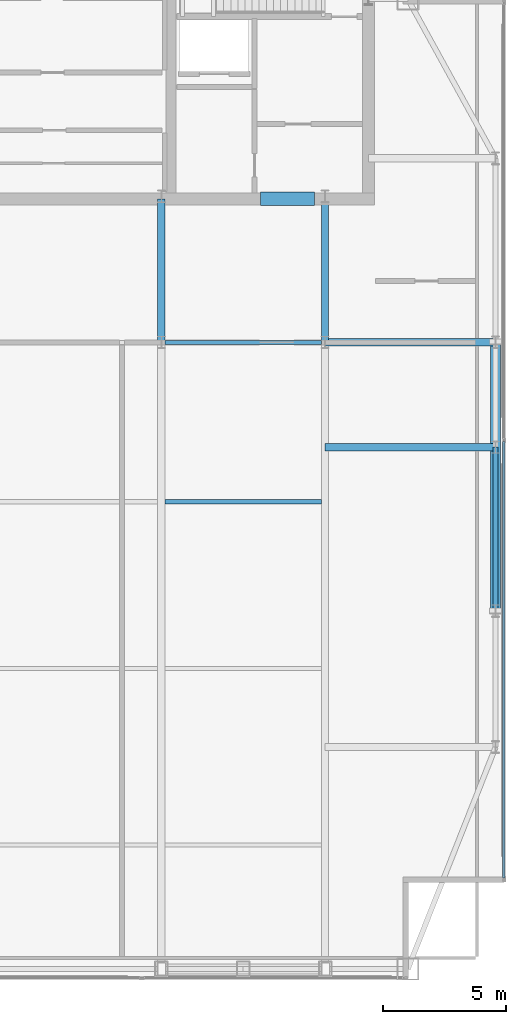
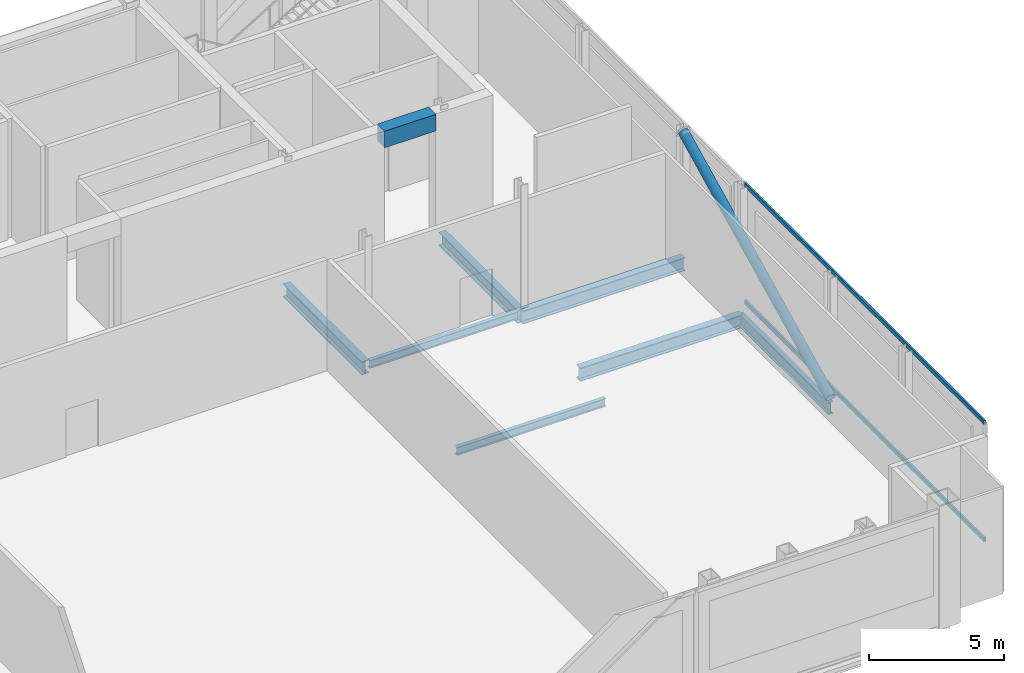
# One storey, part 13 of 22: 8 beams, 3 members, 1 element without a shape of its own.
"""IFC4 building model written with IfcOpenShell, lengths in metres."""

from ifc_helpers import new_model, si_unit, direction, frame, origin, origin_2d, place, context, subcontext, project, spatial, rectangle, hollow_rectangle, hollow_circle, i_section, extrude, material, material_profile, profile_set, type_object, element, aggregate, save


model = new_model("IFC4")

# Units and contexts
model_context = context("Model", 3, precision=1e-05, world=origin(), true_north=direction((0.0, 1.0)))
body_context = subcontext(model_context, "Body", "Model", "MODEL_VIEW")
ifc_project = project(units=[si_unit("LENGTHUNIT", "METRE"), si_unit("AREAUNIT", "SQUARE_METRE"), si_unit("VOLUMEUNIT", "CUBIC_METRE"), si_unit("PLANEANGLEUNIT", "RADIAN"), si_unit("MASSUNIT", "GRAM", prefix="KILO")], contexts=[model_context])

# Site, building, storey
site_placement = place(None, origin())
site = spatial("IfcSite", under=ifc_project, at=site_placement, CompositionType="ELEMENT")
building_placement = place(site_placement, origin())
building = spatial("IfcBuilding", under=site, at=building_placement, Name="Khoronbel Lancet Exchange", CompositionType="ELEMENT")
storey_placement = place(building_placement, frame((0.0, 0.0, 373.0)))
storey = spatial("IfcBuildingStorey", under=building, at=storey_placement, Name="L95", CompositionType="ELEMENT", Elevation=373.0)

# Beams
ifc_material_1 = material(Name="Steel S355", Category="steel")
ifc_material_profile_1 = material_profile(ifc_material_1, i_section(OverallWidth=0.300048828125, OverallDepth=0.60009765625, WebThickness=0.015380859375, FlangeThickness=0.030029296875, at=origin_2d()), Name="HEB 600")
ifc_profile_set_1 = profile_set([ifc_material_profile_1], Name="Steel S355")
beam_type_1 = type_object("IfcBeamType", Name="BM-BG5", PredefinedType="BEAM", material=ifc_profile_set_1)
for number, where, z_axis, x_axis, name in (
    (1, (48.0, 35.699951171875, -0.5), (0.0, 1.0, 0.0), (-1.0, 0.0, 0.0), "Level L95 spine tie girder GN5"),
    (2, (54.675048828125, 35.699951171875, -0.5), (0.0, 1.0, 0.0), (-1.0, 0.0, 0.0), "Level L95 spine tie girder GN6"),
):
    element("IfcBeam", number, at=place(storey_placement, frame(where, z_axis=z_axis, x_axis=x_axis)), inside=storey, type_object=beam_type_1, Name=name, PredefinedType="BEAM", context=body_context, shape_type="SweptSolid", body=[
        extrude(i_section(OverallWidth=0.300048828125, OverallDepth=0.60009765625, WebThickness=0.015380859375, FlangeThickness=0.030029296875, at=origin_2d()), origin(), (0.0, 0.0, 1.0), 5.85009765625),
    ])
for number, where, z_axis, x_axis, name in (
    (3, (54.675048828125, 31.425048828125, -0.5), (1.0, 0.0, 0.0), (0.0, 1.0, 0.0), "Level L95 east lens tie girder LG2E"),
    (4, (54.675048828125, 35.699951171875, -0.5), (1.0, 0.0, 0.0), (0.0, 1.0, 0.0), "Level L95 east lens tie girder LG4E"),
):
    element("IfcBeam", number, at=place(storey_placement, frame(where, z_axis=z_axis, x_axis=x_axis)), inside=storey, type_object=beam_type_1, Name=name, PredefinedType="BEAM", context=body_context, shape_type="SweptSolid", body=[
        extrude(i_section(OverallWidth=0.300048828125, OverallDepth=0.60009765625, WebThickness=0.015380859375, FlangeThickness=0.030029296875, at=origin_2d()), origin(), (0.0, 0.0, 1.0), 6.954833984375),
    ])
ifc_material_profile_2 = material_profile(ifc_material_1, i_section(OverallWidth=0.169921875, OverallDepth=0.360107421875, WebThickness=0.008056640625, FlangeThickness=0.0126953125, at=origin_2d()), Name="IPE 360")
ifc_profile_set_2 = profile_set([ifc_material_profile_2], Name="Steel S355")
beam_type_2 = type_object("IfcBeamType", Name="BM-BJ6", PredefinedType="JOIST", material=ifc_profile_set_2)
for number, where, z_axis, x_axis, name in (
    (5, (48.14990234375, 29.199951171875, -0.3798828125), (1.0, 0.0, 0.0), (0.0, 1.0, 0.0), "Level L95 secondary composite joist J09"),
    (6, (48.14990234375, 35.699951171875, -0.3798828125), (1.0, 0.0, 0.0), (0.0, 1.0, 0.0), "Level L95 secondary composite joist J12"),
):
    element("IfcBeam", number, at=place(storey_placement, frame(where, z_axis=z_axis, x_axis=x_axis)), inside=storey, type_object=beam_type_2, Name=name, PredefinedType="JOIST", context=body_context, shape_type="SweptSolid", body=[
        extrude(i_section(OverallWidth=0.169921875, OverallDepth=0.360107421875, WebThickness=0.008056640625, FlangeThickness=0.0126953125, at=origin_2d()), origin(), (0.0, 0.0, 1.0), 6.375),
    ])
ifc_material_2 = material(Name="Concrete C60/75", Category="concrete")
ifc_material_profile_3 = material_profile(ifc_material_2, rectangle(XDim=0.550048828125, YDim=0.75, at=origin_2d()), Name="RC 550x750")
ifc_profile_set_3 = profile_set([ifc_material_profile_3], Name="Concrete C60/75")
beam_type_3 = type_object("IfcBeamType", Name="BM-BL2", PredefinedType="LINTEL", material=ifc_profile_set_3)
beam_1_placement = place(storey_placement, frame((52.050048828125, 41.550048828125, 5.02490234375), z_axis=(1.0, 0.0, 0.0), x_axis=(0.0, 1.0, 0.0)))
element("IfcBeam", 7, at=beam_1_placement, inside=storey, type_object=beam_type_3, Name="Level L95 rear core coupling lintel L4", PredefinedType="LINTEL", context=body_context, shape_type="SweptSolid", body=[
    extrude(rectangle(XDim=0.550048828125, YDim=0.75, at=origin_2d()), origin(), (0.0, 0.0, 1.0), 2.199951171875),
])
ifc_material_profile_4 = material_profile(ifc_material_1, i_section(OverallWidth=0.2099609375, OverallDepth=0.550048828125, WebThickness=0.010986328125, FlangeThickness=0.01708984375, at=origin_2d()), Name="IPE 550")
ifc_profile_set_4 = profile_set([ifc_material_profile_4], Name="Steel S355")
beam_type_4 = type_object("IfcBeamType", Name="BM-BSP3", PredefinedType="SPANDREL", material=ifc_profile_set_4)
beam_2_placement = place(storey_placement, frame((61.6298828125, 24.75, -0.47509765625), z_axis=(0.0, 1.0, 0.0), x_axis=(-1.0, 0.0, 0.0)))
element("IfcBeam", 8, at=beam_2_placement, inside=storey, type_object=beam_type_4, Name="Level L95 perimeter spandrel beam SP10", PredefinedType="SPANDREL", context=body_context, shape_type="SweptSolid", body=[
    extrude(i_section(OverallWidth=0.2099609375, OverallDepth=0.550048828125, WebThickness=0.010986328125, FlangeThickness=0.01708984375, at=origin_2d()), origin(), (0.0, 0.0, 1.0), 6.675048828125),
])

# Curtain wall, members
ifc_material_3 = material(Name="Low-E Solar Control Insulating Glass", Category="glass")
curtain_wall_type = type_object("IfcCurtainWallType", Name="CW-6", PredefinedType="NOTDEFINED", material=ifc_material_3)
curtain_wall_placement = place(storey_placement, origin())
curtain_wall = element("IfcCurtainWall", 9, at=curtain_wall_placement, inside=storey, type_object=curtain_wall_type, Name="Unitised curtain wall CW-L95-E09", PredefinedType="NOTDEFINED")
ifc_material_4 = material(Name="Bronze-Anodised Aluminium 6063-T6", Category="aluminium")
ifc_material_profile_5 = material_profile(ifc_material_4, hollow_rectangle(XDim=0.0849609375, YDim=0.179931640625, WallThickness=0.0048828125, at=origin_2d()), Name="ALU TRANSOM 85x180")
ifc_profile_set_5 = profile_set([ifc_material_profile_5], Name="Bronze-Anodised Aluminium 6063-T6")
member_type_1 = type_object("IfcMemberType", Name="MEM-CWT1", PredefinedType="USERDEFINED", material=ifc_profile_set_5)
member_1_placement = place(storey_placement, frame((61.9599609375, 31.66259765625, 0.04248046875), z_axis=(0.0, -1.0, 0.0), x_axis=(1.0, 0.0, 0.0)))
member_1 = element("IfcMember", 10, at=member_1_placement, type_object=member_type_1, Name="CW6 transom 2.1", ObjectType="TRANSOM", PredefinedType="USERDEFINED", context=body_context, shape_type="SweptSolid", body=[
    extrude(hollow_rectangle(XDim=0.0849609375, YDim=0.179931640625, WallThickness=0.0048828125, at=origin_2d()), origin(), (0.0, 0.0, 1.0), 17.797607421875),
])
member_2_placement = place(storey_placement, frame((61.9599609375, 31.66259765625, 5.357421875), z_axis=(0.0, -1.0, 0.0), x_axis=(1.0, 0.0, 0.0)))
member_2 = element("IfcMember", 11, at=member_2_placement, type_object=member_type_1, Name="CW6 transom 2.2", ObjectType="TRANSOM", PredefinedType="USERDEFINED", context=body_context, shape_type="SweptSolid", body=[
    extrude(hollow_rectangle(XDim=0.0849609375, YDim=0.179931640625, WallThickness=0.0048828125, at=origin_2d()), origin(), (0.0, 0.0, 1.0), 17.797607421875),
])
aggregate(curtain_wall, [member_1, member_2])

# Member
ifc_material_profile_6 = material_profile(ifc_material_1, hollow_circle(Radius=0.203125, WallThickness=0.02001953125, at=origin_2d()), Name="CHS 406.4x20")
ifc_profile_set_6 = profile_set([ifc_material_profile_6], Name="Steel S355")
member_type_2 = type_object("IfcMemberType", Name="MEM-STR2", PredefinedType="STRUT", material=ifc_profile_set_6)
member_3_placement = place(storey_placement, frame((61.6298828125, 24.75, 0.0), z_axis=(0.0, 0.8962223226, 0.443605171829), x_axis=(-1.0, 0.0, 0.0)))
element("IfcMember", 12, at=member_3_placement, inside=storey, type_object=member_type_2, Name="CROWN FRAME diagonal ring brace L95-E1", PredefinedType="STRUT", context=body_context, shape_type="SweptSolid", body=[
    extrude(hollow_circle(Radius=0.203125, WallThickness=0.02001953125, at=origin_2d()), origin(), (0.0, 0.0, 1.0), 12.218017578125),
])

save(model, "model.ifc")
